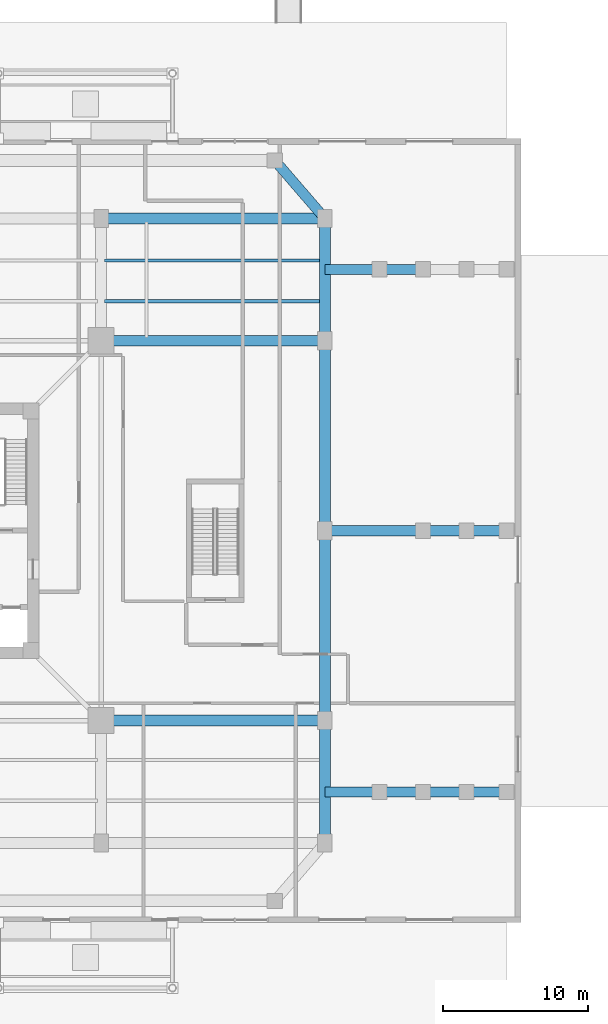
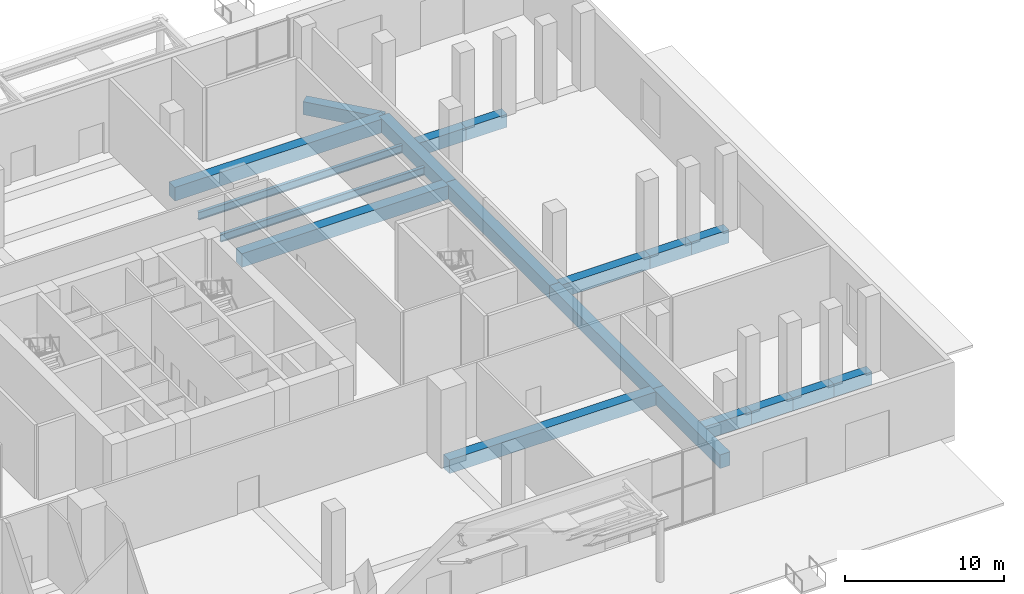
# One storey, part 11 of 25: 19 beams.
"""IFC4 building model written with IfcOpenShell, lengths in metres."""

import ifcopenshell
import ifcopenshell.guid

model = None  # the IFC model being written
_history = None  # IfcOwnerHistory: only IFC2X3 demands one
_inside = {}  # id of a spatial element -> (the spatial element, [elements in it])
_under = {}  # id of a project, library or spatial element -> (it, [spatial elements below it])
_declared = {}  # id of a project -> (the project, [libraries it declares])
_typed = {}  # id of a type object -> (the type object, [elements of that type])
_made_of = {}  # id of a material, layer set ... -> (it, [elements and type objects made of it])


def new_model(schema):
    """Start an empty IFC model of exactly this schema.

    Asked for "IFC4X3", IfcOpenShell would pick the latest addendum, in which some entities
    have other attributes; the version numbers below select the first issue.
    IFC2X3 requires an IfcOwnerHistory on every rooted entity: one is made here for all.
    """
    global model, _history
    if schema == "IFC4X3":
        model = ifcopenshell.file(schema_version=(4, 3, 0, 0))
    else:
        model = ifcopenshell.file(schema=schema)
    _inside.clear()
    _under.clear()
    _declared.clear()
    _typed.clear()
    _made_of.clear()
    _history = None
    if model.schema == "IFC2X3":
        org = make("IfcOrganization", Name="unknown")
        user = make(
            "IfcPersonAndOrganization",
            ThePerson=make("IfcPerson", FamilyName="unknown"),
            TheOrganization=org,
        )
        app = make(
            "IfcApplication",
            ApplicationDeveloper=org,
            Version="unknown",
            ApplicationFullName="unknown",
            ApplicationIdentifier="unknown",
        )
        _history = make(
            "IfcOwnerHistory",
            OwningUser=user,
            OwningApplication=app,
            ChangeAction="ADDED",
            CreationDate=0,
        )
    return model


def make(cls, **values):
    """One entity of the class cls with the attributes given. An attribute that is None is left unset."""
    return model.create_entity(
        cls, **{name: value for name, value in values.items() if value is not None}
    )


def rooted(cls, **values):
    """An entity with a GlobalId (a new one), such as an element, a storey or a relation."""
    return make(cls, GlobalId=ifcopenshell.guid.new(), OwnerHistory=_history, **values)


def si_unit(unit_type, name, prefix=None):
    """IfcSIUnit, for example si_unit("LENGTHUNIT", "METRE", prefix="MILLI")."""
    return make("IfcSIUnit", UnitType=unit_type, Prefix=prefix, Name=name)


def assignment(units):
    """IfcUnitAssignment: the units of a project."""
    return None if units is None else make("IfcUnitAssignment", Units=units)


def point(xyz):
    """IfcCartesianPoint."""
    return None if xyz is None else make("IfcCartesianPoint", Coordinates=xyz)


def direction(xyz):
    """IfcDirection."""
    return None if xyz is None else make("IfcDirection", DirectionRatios=xyz)


def frame(location, z_axis=None, x_axis=None):
    """IfcAxis2Placement3D, a coordinate frame: its origin and axes. An axis left out is left unset."""
    return make(
        "IfcAxis2Placement3D",
        Location=point(location),
        Axis=direction(z_axis),
        RefDirection=direction(x_axis),
    )


def frame_2d(location, x_axis=None):
    """IfcAxis2Placement2D, a coordinate frame in the plane: its origin and x axis."""
    return make(
        "IfcAxis2Placement2D", Location=point(location), RefDirection=direction(x_axis)
    )


def origin():
    """The frame at (0, 0, 0) with its axes left unset."""
    return frame((0.0, 0.0, 0.0))


def origin_2d():
    """The frame at (0, 0) in the plane with its x axis left unset."""
    return frame_2d((0.0, 0.0))


def place(relative_to, where):
    """IfcLocalPlacement: puts the frame where relative to a parent placement (None: the world)."""
    return make(
        "IfcLocalPlacement", PlacementRelTo=relative_to, RelativePlacement=where
    )


def context(
    kind, dimensions, precision=None, world=None, true_north=None, identifier=None
):
    """IfcGeometricRepresentationContext, for example the 3D "Model" context."""
    return make(
        "IfcGeometricRepresentationContext",
        ContextIdentifier=identifier,
        ContextType=kind,
        CoordinateSpaceDimension=dimensions,
        Precision=precision,
        WorldCoordinateSystem=world,
        TrueNorth=true_north,
    )


def subcontext(parent, identifier, kind, view, scale=None):
    """IfcGeometricRepresentationSubContext, for example "Body" below "Model"."""
    return make(
        "IfcGeometricRepresentationSubContext",
        ContextIdentifier=identifier,
        ContextType=kind,
        ParentContext=parent,
        TargetScale=scale,
        TargetView=view,
    )


def project(units=None, contexts=None):
    """IfcProject with its units and contexts."""
    return rooted(
        "IfcProject",
        Name="project",
        RepresentationContexts=contexts,
        UnitsInContext=assignment(units),
    )


def spatial(cls, under=None, at=None, **own):
    """A site, building, storey or space (cls), placed at a placement, below another one or the project."""
    s = rooted(cls, ObjectPlacement=at, **own)
    if under is not None:
        _under.setdefault(under.id(), (under, []))[1].append(s)
    return s


def profile(cls, at=None, kind="AREA", **sizes):
    """A parametric profile (cls). Its sizes go by their IFC names, for example OverallWidth=200.0."""
    return make(cls, ProfileType=kind, Position=at, **sizes)


def rectangle(**sizes):
    """IfcRectangleProfileDef."""
    return profile("IfcRectangleProfileDef", **sizes)


def i_section(**sizes):
    """IfcIShapeProfileDef."""
    return profile("IfcIShapeProfileDef", **sizes)


def extrude(swept, where, along, depth):
    """IfcExtrudedAreaSolid: the profile swept, set in the frame where, extruded along a direction by depth."""
    return make(
        "IfcExtrudedAreaSolid",
        SweptArea=swept,
        Position=where,
        ExtrudedDirection=direction(along),
        Depth=depth,
    )


def shape(context_of_items, identifier, shape_type, items):
    """IfcShapeRepresentation: the items that make up one representation, for example the "Body"."""
    return make(
        "IfcShapeRepresentation",
        ContextOfItems=context_of_items,
        RepresentationIdentifier=identifier,
        RepresentationType=shape_type,
        Items=items,
    )


def source(mapping_origin, context_of_items, identifier, shape_type, items):
    """IfcRepresentationMap: a shape defined once, which mapped items show again and again."""
    return make(
        "IfcRepresentationMap",
        MappingOrigin=mapping_origin,
        MappedRepresentation=shape(context_of_items, identifier, shape_type, items),
    )


def transform(
    local_origin,
    x_axis=None,
    y_axis=None,
    z_axis=None,
    scale=None,
    scale2=None,
    scale3=None,
    uniform=True,
):
    """IfcCartesianTransformationOperator3D, or its non-uniform kind. x_axis, y_axis, z_axis: its Axis1, 2, 3."""
    if uniform:
        return make(
            "IfcCartesianTransformationOperator3D",
            Axis1=direction(x_axis),
            Axis2=direction(y_axis),
            LocalOrigin=point(local_origin),
            Scale=scale,
            Axis3=direction(z_axis),
        )
    return make(
        "IfcCartesianTransformationOperator3DnonUniform",
        Axis1=direction(x_axis),
        Axis2=direction(y_axis),
        LocalOrigin=point(local_origin),
        Scale=scale,
        Axis3=direction(z_axis),
        Scale2=scale2,
        Scale3=scale3,
    )


def mapped(mapping_source, mapping_target):
    """IfcMappedItem: shows the shape of a source again, moved by a transform."""
    return make(
        "IfcMappedItem", MappingSource=mapping_source, MappingTarget=mapping_target
    )


def material(Name=None, Category=None):
    """IfcMaterial."""
    return make("IfcMaterial", Name=Name, Category=Category)


def material_profile(
    of_material, cross_section, Name=None, Category=None, Priority=None
):
    """IfcMaterialProfile: a cross section and its material."""
    return make(
        "IfcMaterialProfile",
        Name=Name,
        Material=of_material,
        Profile=cross_section,
        Priority=Priority,
        Category=Category,
    )


def profile_set(profiles, Name=None, composite=None):
    """IfcMaterialProfileSet."""
    return make(
        "IfcMaterialProfileSet",
        Name=Name,
        MaterialProfiles=profiles,
        CompositeProfile=composite,
    )


def made_of(thing, what):
    """Note that an element or type object is made of a material, layer set ...; save() writes the relation."""
    if what is not None:
        _made_of.setdefault(what.id(), (what, []))[1].append(thing)
    return thing


def type_object(cls, material=None, **own):
    """A type object (cls), such as IfcWallType, which elements share."""
    return made_of(rooted(cls, **own), material)


def element(
    cls,
    number,
    at=None,
    inside=None,
    cuts=None,
    type_object=None,
    material=None,
    context=None,
    identifier="Body",
    shape_type=None,
    held_by="IfcProductDefinitionShape",
    body=None,
    shapes=None,
    **own,
):
    """One element of the class cls, such as IfcWall. Its Tag is "e" and its number.

    at: its placement. inside: the storey or other place that contains it. cuts: it is an
    opening in that element (IfcRelVoidsElement). A single representation is given by context,
    identifier, shape_type and body (its items); several are given by shapes. held_by: the class
    of the entity that holds the representations. save() writes the other relations.
    """
    e = rooted(cls, Tag="e%d" % number, ObjectPlacement=at, **own)
    if body is not None:
        shapes = [shape(context, identifier, shape_type, body)]
    if shapes is not None:
        e.Representation = make(held_by, Representations=shapes)
    if inside is not None:
        _inside.setdefault(inside.id(), (inside, []))[1].append(e)
    if cuts is not None:
        rooted(
            "IfcRelVoidsElement", RelatingBuildingElement=cuts, RelatedOpeningElement=e
        )
    if type_object is not None:
        _typed.setdefault(type_object.id(), (type_object, []))[1].append(e)
    return made_of(e, material)


def aggregate(whole, parts):
    """IfcRelAggregates: a whole, such as a stair, and the parts it consists of."""
    return rooted("IfcRelAggregates", RelatingObject=whole, RelatedObjects=parts)


def save(model, path):
    """Write the relations noted so far, then the file.

    IfcRelAggregates (storeys below a building ...), IfcRelContainedInSpatialStructure (elements
    in a storey), IfcRelDefinesByType, IfcRelAssociatesMaterial and IfcRelDeclares: one each for
    every whole, place, type object, material and project.
    """
    for whole, parts in _under.values():
        aggregate(whole, parts)
    for where, things in _inside.values():
        rooted(
            "IfcRelContainedInSpatialStructure",
            RelatedElements=things,
            RelatingStructure=where,
        )
    for kind, things in _typed.values():
        rooted("IfcRelDefinesByType", RelatedObjects=things, RelatingType=kind)
    for what, things in _made_of.values():
        rooted("IfcRelAssociatesMaterial", RelatedObjects=things, RelatingMaterial=what)
    for by, libraries in _declared.values():
        rooted("IfcRelDeclares", RelatingContext=by, RelatedDefinitions=libraries)
    model.write(path)


model = new_model("IFC4")

# Units and contexts
model_context = context("Model", 3, precision=1e-05, world=origin(), true_north=direction((0.0, 1.0)))
body_context = subcontext(model_context, "Body", "Model", "MODEL_VIEW")
ifc_project = project(units=[si_unit("LENGTHUNIT", "METRE"), si_unit("AREAUNIT", "SQUARE_METRE"), si_unit("VOLUMEUNIT", "CUBIC_METRE"), si_unit("PLANEANGLEUNIT", "RADIAN"), si_unit("MASSUNIT", "GRAM", prefix="KILO"), si_unit("THERMODYNAMICTEMPERATUREUNIT", "KELVIN")], contexts=[model_context])

# Site, building, storey
site_placement = place(None, origin())
site = spatial("IfcSite", under=ifc_project, at=site_placement, CompositionType="ELEMENT")
building_placement = place(site_placement, origin())
building = spatial("IfcBuilding", under=site, at=building_placement, Name="Kosmvard Interchange Tower", CompositionType="ELEMENT")
storey_placement = place(building_placement, origin())
storey = spatial("IfcBuildingStorey", under=building, at=storey_placement, Name="L00", CompositionType="ELEMENT", Elevation=0.0)

# Beams
ifc_material_1 = material(Name="Steel S355", Category="steel")
ifc_material_profile_1 = material_profile(ifc_material_1, i_section(OverallWidth=0.219970703125, OverallDepth=0.60009765625, WebThickness=0.011962890625, FlangeThickness=0.01904296875, FilletRadius=0.02392578125, at=origin_2d()), Name="IPE 600")
ifc_profile_set_1 = profile_set([ifc_material_profile_1], Name="Steel S355")
beam_type_1 = type_object("IfcBeamType", Name="Long-Span Floor Joist IPE 600 S355", PredefinedType="JOIST", material=ifc_profile_set_1)
shared_shape_1 = source(origin(), body_context, "Body", "SweptSolid", [
    extrude(i_section(OverallWidth=0.219970703125, OverallDepth=0.60009765625, WebThickness=0.011962890625, FlangeThickness=0.01904296875, FilletRadius=0.02392578125, at=origin_2d()), origin(), (0.0, 0.0, 1.0), 14.949951171875),
])
for number, where, z_axis, x_axis, name in (
    (1, (13.300048828125, 15.800048828125, -0.699951171875), (1.0, 0.0, 0.0), (0.0, 1.0, 0.0), "BM-L00-PJ12"),
    (2, (13.300048828125, 18.60009765625, -0.699951171875), (1.0, 0.0, 0.0), (0.0, 1.0, 0.0), "BM-L00-PJ16"),
):
    element("IfcBeam", number, at=place(storey_placement, frame(where, z_axis=z_axis, x_axis=x_axis)), inside=storey, type_object=beam_type_1, Name=name, PredefinedType="JOIST", context=body_context, shape_type="MappedRepresentation", body=[
        mapped(shared_shape_1, transform((0.0, 0.0, 0.0), scale=1.0)),
    ])
ifc_material_2 = material(Name="Concrete C60/75", Category="concrete")
ifc_material_profile_2 = material_profile(ifc_material_2, rectangle(XDim=0.75, YDim=1.050048828125, at=origin_2d()), Name="RCG 750x1050")
ifc_profile_set_2 = profile_set([ifc_material_profile_2], Name="Concrete C60/75")
beam_type_2 = type_object("IfcBeamType", Name="Concourse Mid-Span RC Girder 750x1050 C60/75", PredefinedType="BEAM", material=ifc_profile_set_2)
shared_shape_2 = source(origin(), body_context, "Body", "SweptSolid", [
    extrude(rectangle(XDim=0.75, YDim=1.050048828125, at=origin_2d()), origin(), (0.0, 0.0, 1.0), 15.4189453125),
])
for number, where, z_axis, x_axis, name in (
    (3, (13.0810546875, 21.5, -0.52490234375), (1.0, 0.0, 0.0), (0.0, 1.0, 0.0), "BM-L00-PG-N4"),
    (4, (28.5, -13.0810546875, -0.52490234375), (-1.0, 0.0, 0.0), (0.0, -1.0, 0.0), "BM-L00-PG-CE1"),
    (5, (28.5, 13.0810546875, -0.52490234375), (-1.0, 0.0, 0.0), (0.0, -1.0, 0.0), "BM-L00-PG-CE2"),
):
    element("IfcBeam", number, at=place(storey_placement, frame(where, z_axis=z_axis, x_axis=x_axis)), inside=storey, type_object=beam_type_2, Name=name, PredefinedType="BEAM", context=body_context, shape_type="MappedRepresentation", body=[
        mapped(shared_shape_2, transform((0.0, 0.0, 0.0), scale=1.0)),
    ])
shared_shape_3 = source(origin(), body_context, "Body", "SweptSolid", [
    extrude(rectangle(XDim=0.75, YDim=1.050048828125, at=origin_2d()), origin(), (0.0, 0.0, 1.0), 13.0810546875),
])
for number, where, z_axis, x_axis, name in (
    (6, (28.5, -13.0810546875, -0.52490234375), (0.0, 1.0, 0.0), (-1.0, 0.0, 0.0), "BM-L00-PG-E2"),
    (7, (28.5, 0.0, -0.52490234375), (0.0, 1.0, 0.0), (-1.0, 0.0, 0.0), "BM-L00-PG-E3"),
):
    element("IfcBeam", number, at=place(storey_placement, frame(where, z_axis=z_axis, x_axis=x_axis)), inside=storey, type_object=beam_type_2, Name=name, PredefinedType="BEAM", context=body_context, shape_type="MappedRepresentation", body=[
        mapped(shared_shape_3, transform((0.0, 0.0, 0.0), scale=1.0)),
    ])
shared_shape_4 = source(origin(), body_context, "Body", "SweptSolid", [
    extrude(rectangle(XDim=0.75, YDim=1.050048828125, at=origin_2d()), origin(), (0.0, 0.0, 1.0), 8.4189453125),
])
for number, where, z_axis, x_axis, name in (
    (8, (28.5, -21.5, -0.52490234375), (0.0, 1.0, 0.0), (-1.0, 0.0, 0.0), "BM-L00-PG-E1"),
    (9, (28.5, 13.0810546875, -0.52490234375), (0.0, 1.0, 0.0), (-1.0, 0.0, 0.0), "BM-L00-PG-E4"),
):
    element("IfcBeam", number, at=place(storey_placement, frame(where, z_axis=z_axis, x_axis=x_axis)), inside=storey, type_object=beam_type_2, Name=name, PredefinedType="BEAM", context=body_context, shape_type="MappedRepresentation", body=[
        mapped(shared_shape_4, transform((0.0, 0.0, 0.0), scale=1.0)),
    ])
ifc_material_profile_3 = material_profile(ifc_material_2, rectangle(XDim=0.699951171875, YDim=1.0, at=origin_2d()), Name="RCG 700x1000")
ifc_profile_set_3 = profile_set([ifc_material_profile_3], Name="Concrete C60/75")
beam_type_3 = type_object("IfcBeamType", Name="Concourse Primary RC Girder 700x1000 C60/75", PredefinedType="BEAM", material=ifc_profile_set_3)
shared_shape_5 = source(origin(), body_context, "Body", "SweptSolid", [
    extrude(rectangle(XDim=0.699951171875, YDim=1.0, at=origin_2d()), origin(), (0.0, 0.0, 1.0), 5.2822265625),
])
beam_1_placement = place(storey_placement, frame((25.050048828125, 25.5, -0.5), z_axis=(0.653121547432, -0.757253091298, 0.0), x_axis=(0.757253091298, 0.653121547432, 0.0)))
element("IfcBeam", 10, at=beam_1_placement, inside=storey, type_object=beam_type_3, Name="BM-L00-PG-TNR", PredefinedType="BEAM", context=body_context, shape_type="MappedRepresentation", body=[
    mapped(shared_shape_5, transform((0.0, 0.0, 0.0), scale=1.0)),
])
shared_shape_6 = source(origin(), body_context, "Body", "SweptSolid", [
    extrude(rectangle(XDim=0.699951171875, YDim=1.0, at=origin_2d()), origin(), (0.0, 0.0, 1.0), 3.75),
])
for number, where, z_axis, x_axis, name in (
    (11, (28.5, -18.0, -0.5), (1.0, 0.0, 0.0), (0.0, 1.0, 0.0), "BM-L00-PG-TCE11"),
    (12, (28.5, 18.0, -0.5), (1.0, 0.0, 0.0), (0.0, 1.0, 0.0), "BM-L00-PG-TCE31"),
):
    element("IfcBeam", number, at=place(storey_placement, frame(where, z_axis=z_axis, x_axis=x_axis)), inside=storey, type_object=beam_type_3, Name=name, PredefinedType="BEAM", context=body_context, shape_type="MappedRepresentation", body=[
        mapped(shared_shape_6, transform((0.0, 0.0, 0.0), scale=1.0)),
    ])
shared_shape_7 = source(origin(), body_context, "Body", "SweptSolid", [
    extrude(rectangle(XDim=0.699951171875, YDim=1.0, at=origin_2d()), origin(), (0.0, 0.0, 1.0), 3.0),
])
for number, where, z_axis, x_axis, name in (
    (13, (32.25, -18.0, -0.5), (1.0, 0.0, 0.0), (0.0, 1.0, 0.0), "BM-L00-PG-TCE12"),
    (14, (35.25, -18.0, -0.5), (1.0, 0.0, 0.0), (0.0, 1.0, 0.0), "BM-L00-PG-TCE13"),
    (15, (35.25, 0.0, -0.5), (1.0, 0.0, 0.0), (0.0, 1.0, 0.0), "BM-L00-PG-TCE22"),
    (16, (32.25, 18.0, -0.5), (1.0, 0.0, 0.0), (0.0, 1.0, 0.0), "BM-L00-PG-TCE32"),
):
    element("IfcBeam", number, at=place(storey_placement, frame(where, z_axis=z_axis, x_axis=x_axis)), inside=storey, type_object=beam_type_3, Name=name, PredefinedType="BEAM", context=body_context, shape_type="MappedRepresentation", body=[
        mapped(shared_shape_7, transform((0.0, 0.0, 0.0), scale=1.0)),
    ])
shared_shape_8 = source(origin(), body_context, "Body", "SweptSolid", [
    extrude(rectangle(XDim=0.699951171875, YDim=1.0, at=origin_2d()), origin(), (0.0, 0.0, 1.0), 2.75),
])
for number, where, z_axis, x_axis, name in (
    (17, (38.25, -18.0, -0.5), (1.0, 0.0, 0.0), (0.0, 1.0, 0.0), "BM-L00-PG-TCE14"),
    (18, (38.25, 0.0, -0.5), (1.0, 0.0, 0.0), (0.0, 1.0, 0.0), "BM-L00-PG-TCE23"),
):
    element("IfcBeam", number, at=place(storey_placement, frame(where, z_axis=z_axis, x_axis=x_axis)), inside=storey, type_object=beam_type_3, Name=name, PredefinedType="BEAM", context=body_context, shape_type="MappedRepresentation", body=[
        mapped(shared_shape_8, transform((0.0, 0.0, 0.0), scale=1.0)),
    ])
shared_shape_9 = source(origin(), body_context, "Body", "SweptSolid", [
    extrude(rectangle(XDim=0.699951171875, YDim=1.0, at=origin_2d()), origin(), (0.0, 0.0, 1.0), 6.75),
])
beam_2_placement = place(storey_placement, frame((28.5, 0.0, -0.5), z_axis=(1.0, 0.0, 0.0), x_axis=(0.0, 1.0, 0.0)))
element("IfcBeam", 19, at=beam_2_placement, inside=storey, type_object=beam_type_3, Name="BM-L00-PG-TCE21", PredefinedType="BEAM", context=body_context, shape_type="MappedRepresentation", body=[
    mapped(shared_shape_9, transform((0.0, 0.0, 0.0), scale=1.0)),
])

save(model, "model.ifc")
